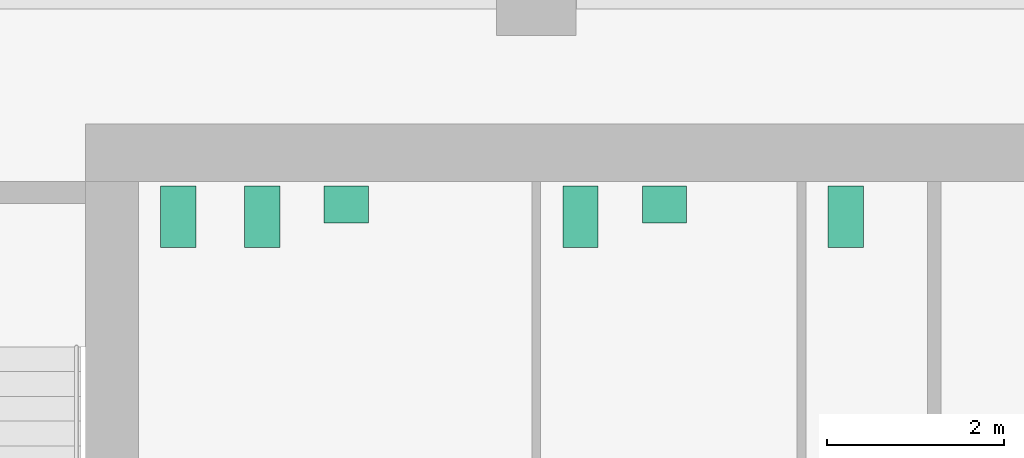
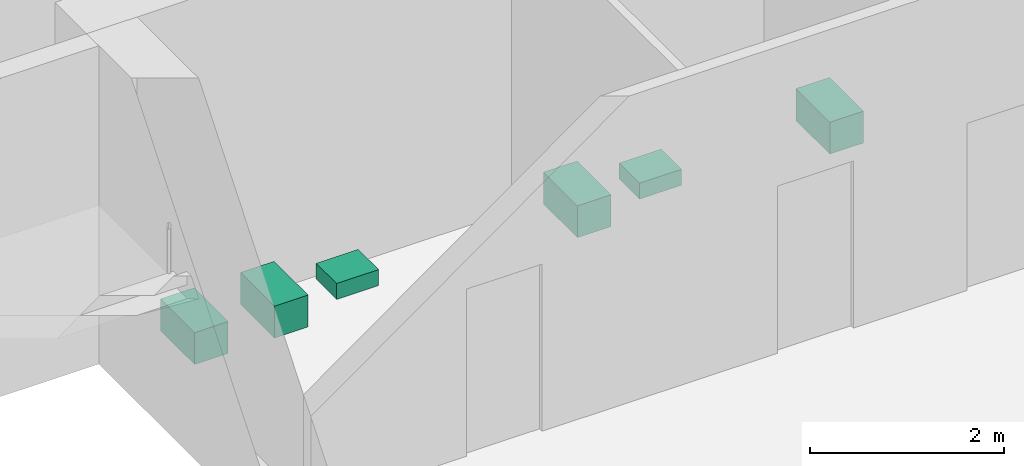
# One storey, part 8 of 8: 6 sanitary terminals.
"""IFC4 building model written with IfcOpenShell, lengths in metres."""

from ifc_helpers import new_model, si_unit, direction, frame, origin, origin_2d, place, context, subcontext, project, spatial, rectangle, extrude, material, type_object, element, save


model = new_model("IFC4")

# Units and contexts
model_context = context("Model", 3, precision=1e-05, world=origin(), true_north=direction((0.0, 1.0)))
body_context = subcontext(model_context, "Body", "Model", "MODEL_VIEW")
ifc_project = project(units=[si_unit("LENGTHUNIT", "METRE"), si_unit("AREAUNIT", "SQUARE_METRE"), si_unit("VOLUMEUNIT", "CUBIC_METRE"), si_unit("PLANEANGLEUNIT", "RADIAN"), si_unit("MASSUNIT", "GRAM", prefix="KILO")], contexts=[model_context])

# Site, building, storey
site_placement = place(None, origin())
site = spatial("IfcSite", under=ifc_project, at=site_placement, CompositionType="ELEMENT")
building_placement = place(site_placement, origin())
building = spatial("IfcBuilding", under=site, at=building_placement, Name="Cinnabar Reach Civic Tower", CompositionType="ELEMENT")
storey_placement = place(building_placement, frame((0.0, 0.0, 157.0)))
storey = spatial("IfcBuildingStorey", under=building, at=storey_placement, Name="L37", CompositionType="ELEMENT", Elevation=157.0)

# Sanitary terminals
ifc_material = material(Name="Vitreous china")
sanitary_terminal_type_1 = type_object("IfcSanitaryTerminalType", Name="T1 WC pan", PredefinedType="TOILETPAN", material=ifc_material)
for number, where, z_axis, x_axis, name in (
    (1, (4.95, 41.6, 0.0), (0.0, 0.0, 1.0), (1.0, 0.0, 0.0), "T1 WC pan 3708-1"),
    (2, (5.9, 41.6, 0.0), (0.0, 0.0, 1.0), (1.0, 0.0, 0.0), "T1 WC pan 3708-2"),
    (3, (9.5, 41.6, 0.0), (0.0, 0.0, 1.0), (1.0, 0.0, 0.0), "T1 WC pan 3709-1"),
    (4, (12.5, 41.6, 0.0), (0.0, 0.0, 1.0), (1.0, 0.0, 0.0), "T1 WC pan 3710-1"),
):
    element("IfcSanitaryTerminal", number, at=place(storey_placement, frame(where, z_axis=z_axis, x_axis=x_axis)), inside=storey, type_object=sanitary_terminal_type_1, Name=name, PredefinedType="TOILETPAN", context=body_context, shape_type="SweptSolid", body=[
        extrude(rectangle(XDim=0.4, YDim=0.7, at=origin_2d()), origin(), (0.0, 0.0, 1.0), 0.4),
    ])
sanitary_terminal_type_2 = type_object("IfcSanitaryTerminalType", Name="T1 wash basin", PredefinedType="WASHHANDBASIN", material=ifc_material)
for number, where, z_axis, x_axis, name in (
    (5, (6.85, 41.74, 0.0), (0.0, 0.0, 1.0), (1.0, 0.0, 0.0), "T1 wash basin 3708-3"),
    (6, (10.45, 41.74, 0.0), (0.0, 0.0, 1.0), (1.0, 0.0, 0.0), "T1 wash basin 3709-2"),
):
    element("IfcSanitaryTerminal", number, at=place(storey_placement, frame(where, z_axis=z_axis, x_axis=x_axis)), inside=storey, type_object=sanitary_terminal_type_2, Name=name, PredefinedType="WASHHANDBASIN", context=body_context, shape_type="SweptSolid", body=[
        extrude(rectangle(XDim=0.5, YDim=0.42, at=origin_2d()), origin(), (0.0, 0.0, 1.0), 0.2),
    ])

save(model, "model.ifc")
